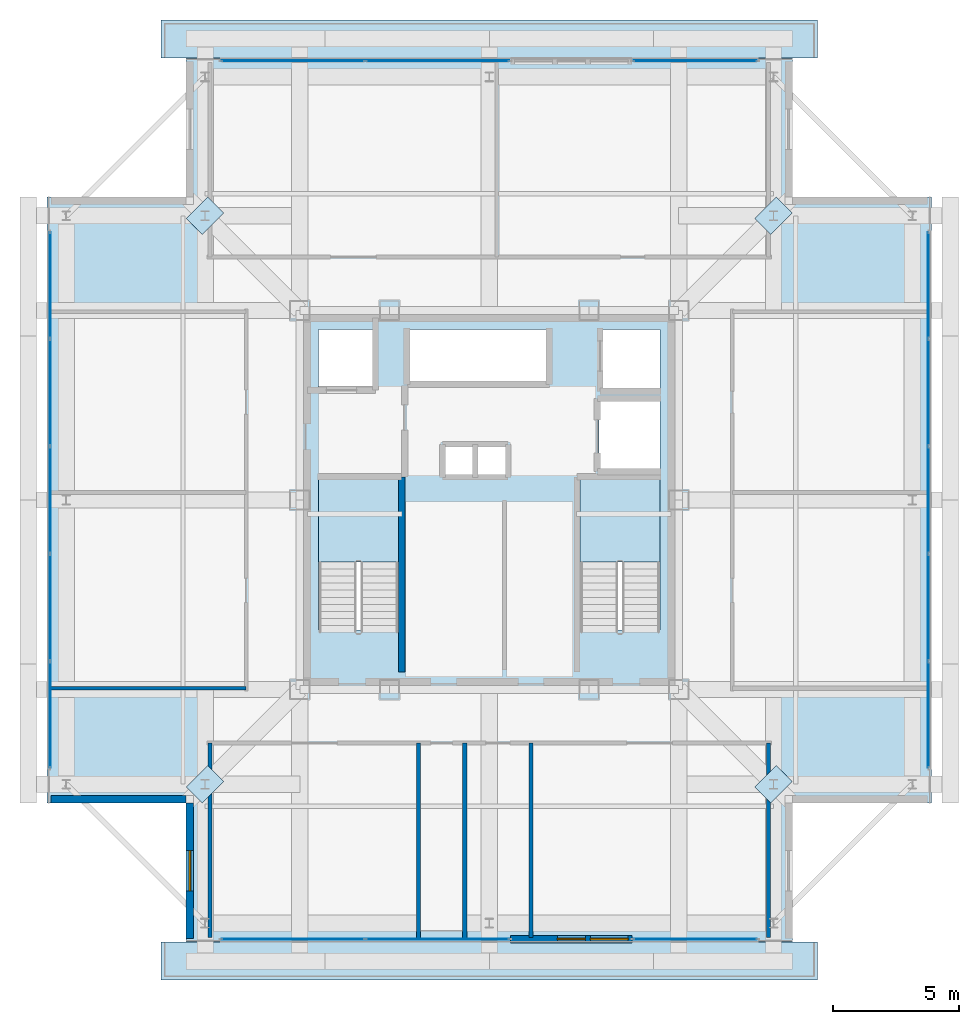
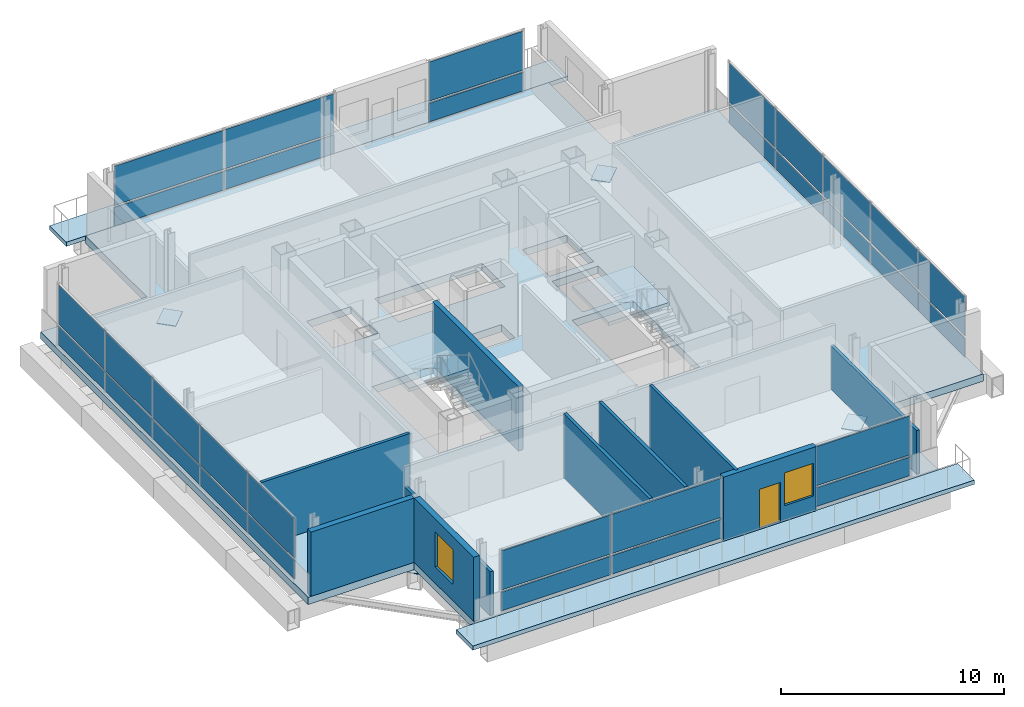
# One storey, part 8 of 15: 36 plates, 10 walls, 5 slabs, 2 windows, 1 door, 3 openings, 8 elements without a shape of their own.
"""IFC4 building model written with IfcOpenShell, lengths in metres."""

from ifc_helpers import new_model, si_unit, direction, frame, frame_2d, origin, origin_2d, place, context, subcontext, project, spatial, polyline, rectangle, outline, extrude, material, layer, layer_set, type_object, element, fill, aggregate, save


model = new_model("IFC4")

# Units and contexts
model_context = context("Model", 3, precision=1e-05, world=origin(), true_north=direction((0.0, 1.0)))
body_context = subcontext(model_context, "Body", "Model", "MODEL_VIEW")
ifc_project = project(units=[si_unit("LENGTHUNIT", "METRE"), si_unit("AREAUNIT", "SQUARE_METRE"), si_unit("VOLUMEUNIT", "CUBIC_METRE"), si_unit("PLANEANGLEUNIT", "RADIAN"), si_unit("MASSUNIT", "GRAM", prefix="KILO")], contexts=[model_context])

# Site, building, storey
site_placement = place(None, origin())
site = spatial("IfcSite", under=ifc_project, at=site_placement, CompositionType="ELEMENT")
building_placement = place(site_placement, origin())
building = spatial("IfcBuilding", under=site, at=building_placement, Name="Trevonay Congress Spire", CompositionType="ELEMENT")
storey_placement = place(building_placement, frame((0.0, 0.0, 300.800048828125)))
storey = spatial("IfcBuildingStorey", under=building, at=storey_placement, Name="L79", CompositionType="ELEMENT", Elevation=300.800048828125)

# Curtain wall, plates
ifc_material_1 = material(Name="Pale Anodised Aluminium EN AW-6063-T6", Category="aluminium")
ifc_layer_1 = layer(ifc_material_1, 0.159912109375, Name="Pale Anodised Aluminium EN AW-6063-T6")
ifc_layer_set_1 = layer_set([ifc_layer_1], Name="Pale Anodised Aluminium EN AW-6063-T6")
curtain_wall_type = type_object("IfcCurtainWallType", Name="CW-SYS06-CROWN-PALE-METAL", PredefinedType="NOTDEFINED", material=ifc_layer_set_1)
curtain_wall_1_placement = place(storey_placement, origin())
curtain_wall_1 = element("IfcCurtainWall", 1, at=curtain_wall_1_placement, inside=storey, type_object=curtain_wall_type, Name="L79 SA unitised curtain wall", PredefinedType="NOTDEFINED")
ifc_material_2 = material(Name="Insulated Low-E Vision Glass IGU", Category="glass")
ifc_layer_2 = layer(ifc_material_2, 0.035888671875, Name="Insulated Low-E Vision Glass IGU")
ifc_layer_set_2 = layer_set([ifc_layer_2], Name="Insulated Low-E Vision Glass IGU")
plate_type_1 = type_object("IfcPlateType", Name="CW-PANEL-IGU36-SILVER", PredefinedType="CURTAIN_PANEL", material=ifc_layer_set_2)
plate_1_placement = place(storey_placement, frame((-7.760009765625, -17.3798828125, 0.1201171875), z_axis=(0.0, 0.0, 1.0), x_axis=(1.0, 0.0, 0.0)))
plate_1 = element("IfcPlate", 2, at=plate_1_placement, type_object=plate_type_1, Name="CW06 panel 1.1", PredefinedType="CURTAIN_PANEL", context=body_context, shape_type="SweptSolid", body=[
    extrude(rectangle(XDim=5.659912109375, YDim=0.035888671875, at=origin_2d()), origin(), (0.0, 0.0, 1.0), 1.016845703125),
])
plate_2_placement = place(storey_placement, frame((-7.760009765625, -17.3798828125, 1.2568359375), z_axis=(0.0, 0.0, 1.0), x_axis=(1.0, 0.0, 0.0)))
plate_2 = element("IfcPlate", 3, at=plate_2_placement, type_object=plate_type_1, Name="CW06 panel 1.2", PredefinedType="CURTAIN_PANEL", context=body_context, shape_type="SweptSolid", body=[
    extrude(rectangle(XDim=5.659912109375, YDim=0.035888671875, at=origin_2d()), origin(), (0.0, 0.0, 1.0), 2.143310546875),
])
plate_3_placement = place(storey_placement, frame((-2.0400390625, -17.3798828125, 0.1201171875), z_axis=(0.0, 0.0, 1.0), x_axis=(1.0, 0.0, 0.0)))
plate_3 = element("IfcPlate", 4, at=plate_3_placement, type_object=plate_type_1, Name="CW06 panel 2.1", PredefinedType="CURTAIN_PANEL", context=body_context, shape_type="SweptSolid", body=[
    extrude(rectangle(XDim=5.659912109375, YDim=0.035888671875, at=origin_2d()), origin(), (0.0, 0.0, 1.0), 1.016845703125),
])
plate_4_placement = place(storey_placement, frame((-2.0400390625, -17.3798828125, 1.2568359375), z_axis=(0.0, 0.0, 1.0), x_axis=(1.0, 0.0, 0.0)))
plate_4 = element("IfcPlate", 5, at=plate_4_placement, type_object=plate_type_1, Name="CW06 panel 2.2", PredefinedType="CURTAIN_PANEL", context=body_context, shape_type="SweptSolid", body=[
    extrude(rectangle(XDim=5.659912109375, YDim=0.035888671875, at=origin_2d()), origin(), (0.0, 0.0, 1.0), 2.143310546875),
])
aggregate(curtain_wall_1, [plate_1, plate_2, plate_3, plate_4])

curtain_wall_2_placement = place(storey_placement, origin())
curtain_wall_2 = element("IfcCurtainWall", 6, at=curtain_wall_2_placement, inside=storey, type_object=curtain_wall_type, Name="L79 SB unitised curtain wall", PredefinedType="NOTDEFINED")
plate_5_placement = place(storey_placement, frame((8.14990234375, -17.3798828125, 0.1201171875), z_axis=(0.0, 0.0, 1.0), x_axis=(1.0, 0.0, 0.0)))
plate_5 = element("IfcPlate", 7, at=plate_5_placement, type_object=plate_type_1, Name="CW06 panel 1.1", PredefinedType="CURTAIN_PANEL", context=body_context, shape_type="SweptSolid", body=[
    extrude(rectangle(XDim=4.8798828125, YDim=0.035888671875, at=origin_2d()), origin(), (0.0, 0.0, 1.0), 1.016845703125),
])
plate_6_placement = place(storey_placement, frame((8.14990234375, -17.3798828125, 1.2568359375), z_axis=(0.0, 0.0, 1.0), x_axis=(1.0, 0.0, 0.0)))
plate_6 = element("IfcPlate", 8, at=plate_6_placement, type_object=plate_type_1, Name="CW06 panel 1.2", PredefinedType="CURTAIN_PANEL", context=body_context, shape_type="SweptSolid", body=[
    extrude(rectangle(XDim=4.8798828125, YDim=0.035888671875, at=origin_2d()), origin(), (0.0, 0.0, 1.0), 2.143310546875),
])
aggregate(curtain_wall_2, [plate_5, plate_6])

curtain_wall_3_placement = place(storey_placement, origin())
curtain_wall_3 = element("IfcCurtainWall", 9, at=curtain_wall_3_placement, inside=storey, type_object=curtain_wall_type, Name="L79 NA unitised curtain wall", PredefinedType="NOTDEFINED")
plate_7_placement = place(storey_placement, frame((-7.760009765625, 17.3798828125, 0.1201171875), z_axis=(0.0, 0.0, 1.0), x_axis=(1.0, 0.0, 0.0)))
plate_7 = element("IfcPlate", 10, at=plate_7_placement, type_object=plate_type_1, Name="CW06 panel 1.1", PredefinedType="CURTAIN_PANEL", context=body_context, shape_type="SweptSolid", body=[
    extrude(rectangle(XDim=5.659912109375, YDim=0.035888671875, at=origin_2d()), origin(), (0.0, 0.0, 1.0), 1.016845703125),
])
plate_8_placement = place(storey_placement, frame((-7.760009765625, 17.3798828125, 1.2568359375), z_axis=(0.0, 0.0, 1.0), x_axis=(1.0, 0.0, 0.0)))
plate_8 = element("IfcPlate", 11, at=plate_8_placement, type_object=plate_type_1, Name="CW06 panel 1.2", PredefinedType="CURTAIN_PANEL", context=body_context, shape_type="SweptSolid", body=[
    extrude(rectangle(XDim=5.659912109375, YDim=0.035888671875, at=origin_2d()), origin(), (0.0, 0.0, 1.0), 2.143310546875),
])
plate_9_placement = place(storey_placement, frame((-2.0400390625, 17.3798828125, 0.1201171875), z_axis=(0.0, 0.0, 1.0), x_axis=(1.0, 0.0, 0.0)))
plate_9 = element("IfcPlate", 12, at=plate_9_placement, type_object=plate_type_1, Name="CW06 panel 2.1", PredefinedType="CURTAIN_PANEL", context=body_context, shape_type="SweptSolid", body=[
    extrude(rectangle(XDim=5.659912109375, YDim=0.035888671875, at=origin_2d()), origin(), (0.0, 0.0, 1.0), 1.016845703125),
])
plate_10_placement = place(storey_placement, frame((-2.0400390625, 17.3798828125, 1.2568359375), z_axis=(0.0, 0.0, 1.0), x_axis=(1.0, 0.0, 0.0)))
plate_10 = element("IfcPlate", 13, at=plate_10_placement, type_object=plate_type_1, Name="CW06 panel 2.2", PredefinedType="CURTAIN_PANEL", context=body_context, shape_type="SweptSolid", body=[
    extrude(rectangle(XDim=5.659912109375, YDim=0.035888671875, at=origin_2d()), origin(), (0.0, 0.0, 1.0), 2.143310546875),
])
aggregate(curtain_wall_3, [plate_7, plate_8, plate_9, plate_10])

curtain_wall_4_placement = place(storey_placement, origin())
curtain_wall_4 = element("IfcCurtainWall", 14, at=curtain_wall_4_placement, inside=storey, type_object=curtain_wall_type, Name="L79 NB unitised curtain wall", PredefinedType="NOTDEFINED")
plate_11_placement = place(storey_placement, frame((8.14990234375, 17.3798828125, 0.1201171875), z_axis=(0.0, 0.0, 1.0), x_axis=(1.0, 0.0, 0.0)))
plate_11 = element("IfcPlate", 15, at=plate_11_placement, type_object=plate_type_1, Name="CW06 panel 1.1", PredefinedType="CURTAIN_PANEL", context=body_context, shape_type="SweptSolid", body=[
    extrude(rectangle(XDim=4.8798828125, YDim=0.035888671875, at=origin_2d()), origin(), (0.0, 0.0, 1.0), 1.016845703125),
])
plate_12_placement = place(storey_placement, frame((8.14990234375, 17.3798828125, 1.2568359375), z_axis=(0.0, 0.0, 1.0), x_axis=(1.0, 0.0, 0.0)))
plate_12 = element("IfcPlate", 16, at=plate_12_placement, type_object=plate_type_1, Name="CW06 panel 1.2", PredefinedType="CURTAIN_PANEL", context=body_context, shape_type="SweptSolid", body=[
    extrude(rectangle(XDim=4.8798828125, YDim=0.035888671875, at=origin_2d()), origin(), (0.0, 0.0, 1.0), 2.143310546875),
])
aggregate(curtain_wall_4, [plate_11, plate_12])

curtain_wall_5_placement = place(storey_placement, origin())
curtain_wall_5 = element("IfcCurtainWall", 17, at=curtain_wall_5_placement, inside=storey, type_object=curtain_wall_type, Name="L79 W unitised curtain wall", PredefinedType="NOTDEFINED")
plate_13_placement = place(storey_placement, frame((-17.3798828125, -8.5048828125, 0.1201171875), z_axis=(0.0, 0.0, 1.0), x_axis=(0.0, 1.0, 0.0)))
plate_13 = element("IfcPlate", 18, at=plate_13_placement, type_object=plate_type_1, Name="CW06 panel 1.1", PredefinedType="CURTAIN_PANEL", context=body_context, shape_type="SweptSolid", body=[
    extrude(rectangle(XDim=4.169921875, YDim=0.035888671875, at=origin_2d()), origin(), (0.0, 0.0, 1.0), 1.016845703125),
])
plate_14_placement = place(storey_placement, frame((-17.3798828125, -8.5048828125, 1.2568359375), z_axis=(0.0, 0.0, 1.0), x_axis=(0.0, 1.0, 0.0)))
plate_14 = element("IfcPlate", 19, at=plate_14_placement, type_object=plate_type_1, Name="CW06 panel 1.2", PredefinedType="CURTAIN_PANEL", context=body_context, shape_type="SweptSolid", body=[
    extrude(rectangle(XDim=4.169921875, YDim=0.035888671875, at=origin_2d()), origin(), (0.0, 0.0, 1.0), 2.143310546875),
])
plate_15_placement = place(storey_placement, frame((-17.3798828125, -4.260009765625, 0.1201171875), z_axis=(0.0, 0.0, 1.0), x_axis=(0.0, 1.0, 0.0)))
plate_15 = element("IfcPlate", 20, at=plate_15_placement, type_object=plate_type_1, Name="CW06 panel 2.1", PredefinedType="CURTAIN_PANEL", context=body_context, shape_type="SweptSolid", body=[
    extrude(rectangle(XDim=4.199951171875, YDim=0.035888671875, at=origin_2d()), origin(), (0.0, 0.0, 1.0), 1.016845703125),
])
plate_16_placement = place(storey_placement, frame((-17.3798828125, -4.260009765625, 1.2568359375), z_axis=(0.0, 0.0, 1.0), x_axis=(0.0, 1.0, 0.0)))
plate_16 = element("IfcPlate", 21, at=plate_16_placement, type_object=plate_type_1, Name="CW06 panel 2.2", PredefinedType="CURTAIN_PANEL", context=body_context, shape_type="SweptSolid", body=[
    extrude(rectangle(XDim=4.199951171875, YDim=0.035888671875, at=origin_2d()), origin(), (0.0, 0.0, 1.0), 2.143310546875),
])
plate_17_placement = place(storey_placement, frame((-17.3798828125, 0.0, 0.1201171875), z_axis=(0.0, 0.0, 1.0), x_axis=(0.0, 1.0, 0.0)))
plate_17 = element("IfcPlate", 22, at=plate_17_placement, type_object=plate_type_1, Name="CW06 panel 3.1", PredefinedType="CURTAIN_PANEL", context=body_context, shape_type="SweptSolid", body=[
    extrude(rectangle(XDim=4.199951171875, YDim=0.035888671875, at=origin_2d()), origin(), (0.0, 0.0, 1.0), 1.016845703125),
])
plate_18_placement = place(storey_placement, frame((-17.3798828125, 0.0, 1.2568359375), z_axis=(0.0, 0.0, 1.0), x_axis=(0.0, 1.0, 0.0)))
plate_18 = element("IfcPlate", 23, at=plate_18_placement, type_object=plate_type_1, Name="CW06 panel 3.2", PredefinedType="CURTAIN_PANEL", context=body_context, shape_type="SweptSolid", body=[
    extrude(rectangle(XDim=4.199951171875, YDim=0.035888671875, at=origin_2d()), origin(), (0.0, 0.0, 1.0), 2.143310546875),
])
plate_19_placement = place(storey_placement, frame((-17.3798828125, 4.260009765625, 0.1201171875), z_axis=(0.0, 0.0, 1.0), x_axis=(0.0, 1.0, 0.0)))
plate_19 = element("IfcPlate", 24, at=plate_19_placement, type_object=plate_type_1, Name="CW06 panel 4.1", PredefinedType="CURTAIN_PANEL", context=body_context, shape_type="SweptSolid", body=[
    extrude(rectangle(XDim=4.199951171875, YDim=0.035888671875, at=origin_2d()), origin(), (0.0, 0.0, 1.0), 1.016845703125),
])
plate_20_placement = place(storey_placement, frame((-17.3798828125, 4.260009765625, 1.2568359375), z_axis=(0.0, 0.0, 1.0), x_axis=(0.0, 1.0, 0.0)))
plate_20 = element("IfcPlate", 25, at=plate_20_placement, type_object=plate_type_1, Name="CW06 panel 4.2", PredefinedType="CURTAIN_PANEL", context=body_context, shape_type="SweptSolid", body=[
    extrude(rectangle(XDim=4.199951171875, YDim=0.035888671875, at=origin_2d()), origin(), (0.0, 0.0, 1.0), 2.143310546875),
])
plate_21_placement = place(storey_placement, frame((-17.3798828125, 8.5048828125, 0.1201171875), z_axis=(0.0, 0.0, 1.0), x_axis=(0.0, 1.0, 0.0)))
plate_21 = element("IfcPlate", 26, at=plate_21_placement, type_object=plate_type_1, Name="CW06 panel 5.1", PredefinedType="CURTAIN_PANEL", context=body_context, shape_type="SweptSolid", body=[
    extrude(rectangle(XDim=4.169921875, YDim=0.035888671875, at=origin_2d()), origin(), (0.0, 0.0, 1.0), 1.016845703125),
])
plate_22_placement = place(storey_placement, frame((-17.3798828125, 8.5048828125, 1.2568359375), z_axis=(0.0, 0.0, 1.0), x_axis=(0.0, 1.0, 0.0)))
plate_22 = element("IfcPlate", 27, at=plate_22_placement, type_object=plate_type_1, Name="CW06 panel 5.2", PredefinedType="CURTAIN_PANEL", context=body_context, shape_type="SweptSolid", body=[
    extrude(rectangle(XDim=4.169921875, YDim=0.035888671875, at=origin_2d()), origin(), (0.0, 0.0, 1.0), 2.143310546875),
])
aggregate(curtain_wall_5, [plate_13, plate_14, plate_15, plate_16, plate_17, plate_18, plate_19, plate_20, plate_21, plate_22])

curtain_wall_6_placement = place(storey_placement, origin())
curtain_wall_6 = element("IfcCurtainWall", 28, at=curtain_wall_6_placement, inside=storey, type_object=curtain_wall_type, Name="L79 E unitised curtain wall", PredefinedType="NOTDEFINED")
plate_23_placement = place(storey_placement, frame((17.3798828125, -8.5048828125, 0.1201171875), z_axis=(0.0, 0.0, 1.0), x_axis=(0.0, 1.0, 0.0)))
plate_23 = element("IfcPlate", 29, at=plate_23_placement, type_object=plate_type_1, Name="CW06 panel 1.1", PredefinedType="CURTAIN_PANEL", context=body_context, shape_type="SweptSolid", body=[
    extrude(rectangle(XDim=4.169921875, YDim=0.035888671875, at=origin_2d()), origin(), (0.0, 0.0, 1.0), 1.016845703125),
])
plate_24_placement = place(storey_placement, frame((17.3798828125, -8.5048828125, 1.2568359375), z_axis=(0.0, 0.0, 1.0), x_axis=(0.0, 1.0, 0.0)))
plate_24 = element("IfcPlate", 30, at=plate_24_placement, type_object=plate_type_1, Name="CW06 panel 1.2", PredefinedType="CURTAIN_PANEL", context=body_context, shape_type="SweptSolid", body=[
    extrude(rectangle(XDim=4.169921875, YDim=0.035888671875, at=origin_2d()), origin(), (0.0, 0.0, 1.0), 2.143310546875),
])
plate_25_placement = place(storey_placement, frame((17.3798828125, -4.260009765625, 0.1201171875), z_axis=(0.0, 0.0, 1.0), x_axis=(0.0, 1.0, 0.0)))
plate_25 = element("IfcPlate", 31, at=plate_25_placement, type_object=plate_type_1, Name="CW06 panel 2.1", PredefinedType="CURTAIN_PANEL", context=body_context, shape_type="SweptSolid", body=[
    extrude(rectangle(XDim=4.199951171875, YDim=0.035888671875, at=origin_2d()), origin(), (0.0, 0.0, 1.0), 1.016845703125),
])
plate_26_placement = place(storey_placement, frame((17.3798828125, -4.260009765625, 1.2568359375), z_axis=(0.0, 0.0, 1.0), x_axis=(0.0, 1.0, 0.0)))
plate_26 = element("IfcPlate", 32, at=plate_26_placement, type_object=plate_type_1, Name="CW06 panel 2.2", PredefinedType="CURTAIN_PANEL", context=body_context, shape_type="SweptSolid", body=[
    extrude(rectangle(XDim=4.199951171875, YDim=0.035888671875, at=origin_2d()), origin(), (0.0, 0.0, 1.0), 2.143310546875),
])
plate_27_placement = place(storey_placement, frame((17.3798828125, 0.0, 0.1201171875), z_axis=(0.0, 0.0, 1.0), x_axis=(0.0, 1.0, 0.0)))
plate_27 = element("IfcPlate", 33, at=plate_27_placement, type_object=plate_type_1, Name="CW06 panel 3.1", PredefinedType="CURTAIN_PANEL", context=body_context, shape_type="SweptSolid", body=[
    extrude(rectangle(XDim=4.199951171875, YDim=0.035888671875, at=origin_2d()), origin(), (0.0, 0.0, 1.0), 1.016845703125),
])
plate_28_placement = place(storey_placement, frame((17.3798828125, 0.0, 1.2568359375), z_axis=(0.0, 0.0, 1.0), x_axis=(0.0, 1.0, 0.0)))
plate_28 = element("IfcPlate", 34, at=plate_28_placement, type_object=plate_type_1, Name="CW06 panel 3.2", PredefinedType="CURTAIN_PANEL", context=body_context, shape_type="SweptSolid", body=[
    extrude(rectangle(XDim=4.199951171875, YDim=0.035888671875, at=origin_2d()), origin(), (0.0, 0.0, 1.0), 2.143310546875),
])
plate_29_placement = place(storey_placement, frame((17.3798828125, 4.260009765625, 0.1201171875), z_axis=(0.0, 0.0, 1.0), x_axis=(0.0, 1.0, 0.0)))
plate_29 = element("IfcPlate", 35, at=plate_29_placement, type_object=plate_type_1, Name="CW06 panel 4.1", PredefinedType="CURTAIN_PANEL", context=body_context, shape_type="SweptSolid", body=[
    extrude(rectangle(XDim=4.199951171875, YDim=0.035888671875, at=origin_2d()), origin(), (0.0, 0.0, 1.0), 1.016845703125),
])
plate_30_placement = place(storey_placement, frame((17.3798828125, 4.260009765625, 1.2568359375), z_axis=(0.0, 0.0, 1.0), x_axis=(0.0, 1.0, 0.0)))
plate_30 = element("IfcPlate", 36, at=plate_30_placement, type_object=plate_type_1, Name="CW06 panel 4.2", PredefinedType="CURTAIN_PANEL", context=body_context, shape_type="SweptSolid", body=[
    extrude(rectangle(XDim=4.199951171875, YDim=0.035888671875, at=origin_2d()), origin(), (0.0, 0.0, 1.0), 2.143310546875),
])
plate_31_placement = place(storey_placement, frame((17.3798828125, 8.5048828125, 0.1201171875), z_axis=(0.0, 0.0, 1.0), x_axis=(0.0, 1.0, 0.0)))
plate_31 = element("IfcPlate", 37, at=plate_31_placement, type_object=plate_type_1, Name="CW06 panel 5.1", PredefinedType="CURTAIN_PANEL", context=body_context, shape_type="SweptSolid", body=[
    extrude(rectangle(XDim=4.169921875, YDim=0.035888671875, at=origin_2d()), origin(), (0.0, 0.0, 1.0), 1.016845703125),
])
plate_32_placement = place(storey_placement, frame((17.3798828125, 8.5048828125, 1.2568359375), z_axis=(0.0, 0.0, 1.0), x_axis=(0.0, 1.0, 0.0)))
plate_32 = element("IfcPlate", 38, at=plate_32_placement, type_object=plate_type_1, Name="CW06 panel 5.2", PredefinedType="CURTAIN_PANEL", context=body_context, shape_type="SweptSolid", body=[
    extrude(rectangle(XDim=4.169921875, YDim=0.035888671875, at=origin_2d()), origin(), (0.0, 0.0, 1.0), 2.143310546875),
])
aggregate(curtain_wall_6, [plate_23, plate_24, plate_25, plate_26, plate_27, plate_28, plate_29, plate_30, plate_31, plate_32])

# Plates
ifc_material_3 = material(Name="Steel ASTM A572 Grade 50", Category="steel")
ifc_layer_3 = layer(ifc_material_3, 0.044921875, Name="Steel ASTM A572 Grade 50")
ifc_layer_set_3 = layer_set([ifc_layer_3], Name="Steel ASTM A572 Grade 50")
plate_type_2 = type_object("IfcPlateType", Name="PLT-GUSSET-INT-45", PredefinedType="USERDEFINED", material=ifc_layer_set_3)
for number, where, z_axis, x_axis, name in (
    (39, (-11.25, -11.25, -0.972412109375), (0.0, 0.0, 1.0), (0.707106781187, 0.707106781187, 0.0), "L79 setback column transfer gusset plate KN-01 (SW)"),
    (40, (11.25, -11.25, -0.972412109375), (0.0, 0.0, 1.0), (0.707106781187, 0.707106781187, 0.0), "L79 setback column transfer gusset plate KN-01 (SE)"),
    (41, (11.25, 11.25, -0.972412109375), (0.0, 0.0, 1.0), (0.707106781187, 0.707106781187, 0.0), "L79 setback column transfer gusset plate KN-01 (NE)"),
    (42, (-11.25, 11.25, -0.972412109375), (0.0, 0.0, 1.0), (0.707106781187, 0.707106781187, 0.0), "L79 setback column transfer gusset plate KN-01 (NW)"),
):
    element("IfcPlate", number, at=place(storey_placement, frame(where, z_axis=z_axis, x_axis=x_axis)), inside=storey, type_object=plate_type_2, Name=name, ObjectType="GUSSET_PLATE", PredefinedType="USERDEFINED", context=body_context, shape_type="SweptSolid", body=[
        extrude(rectangle(XDim=1.199951171875, YDim=0.89990234375, at=origin_2d()), origin(), (0.0, 0.0, 1.0), 0.044921875),
    ])

# Slabs
ifc_material_4 = material(Name="Concrete C40/50", Category="concrete")
ifc_layer_4 = layer(ifc_material_4, 0.22998046875, Name="Concrete C40/50")
ifc_layer_set_4 = layer_set([ifc_layer_4], Name="Concrete C40/50")
slab_type_1 = type_object("IfcSlabType", Name="SLB-SKYGARD-230", PredefinedType="FLOOR", material=ifc_layer_set_4)
slab_1_placement = place(storey_placement, frame((0.0, 0.0, -0.22998046875)))
element("IfcSlab", 43, at=slab_1_placement, inside=storey, type_object=slab_type_1, Name="L79 setback sky-garden terrace slab S", PredefinedType="FLOOR", context=body_context, shape_type="SweptSolid", body=[
    extrude(outline(polyline([(-13.0, -19.0), (13.0, -19.0), (13.0, -17.5), (-13.0, -17.5), (-13.0, -19.0)])), origin(), (0.0, 0.0, 1.0), 0.22998046875),
])
slab_2_placement = place(storey_placement, frame((0.0, 0.0, -0.22998046875)))
element("IfcSlab", 44, at=slab_2_placement, inside=storey, type_object=slab_type_1, Name="L79 setback sky-garden terrace slab N", PredefinedType="FLOOR", context=body_context, shape_type="SweptSolid", body=[
    extrude(outline(polyline([(-13.0, 17.5), (13.0, 17.5), (13.0, 19.0), (-13.0, 19.0), (-13.0, 17.5)])), origin(), (0.0, 0.0, 1.0), 0.22998046875),
])

# Stair, slab
stair_type_1 = type_object("IfcStairType", Name="STR-ST-1", PredefinedType="HALF_TURN_STAIR", material=ifc_material_4)
stair_1_placement = place(storey_placement, origin())
stair_1 = element("IfcStair", 45, at=stair_1_placement, inside=storey, type_object=stair_type_1, Name="L79 Protected Exit Stair ST-1", PredefinedType="HALF_TURN_STAIR")
ifc_layer_5 = layer(ifc_material_4, 0.199951171875, Name="Concrete C40/50")
ifc_layer_set_5 = layer_set([ifc_layer_5], Name="Concrete C40/50")
slab_type_2 = type_object("IfcSlabType", Name="SLB-STAIR-LAND-200", PredefinedType="LANDING", material=ifc_layer_set_5)
slab_3_placement = place(storey_placement, frame((0.0, 0.0, 1.699951171875)))
slab_3 = element("IfcSlab", 46, at=slab_3_placement, type_object=slab_type_2, Name="ST-1 landing 1", PredefinedType="LANDING", context=body_context, shape_type="SweptSolid", body=[
    extrude(outline(polyline([(-3.60009765625, -2.449951171875), (-3.60009765625, 0.85009765625), (-6.75, 0.85009765625), (-6.75, -2.449951171875), (-3.60009765625, -2.449951171875)])), origin(), (0.0, 0.0, 1.0), 0.199951171875),
])
aggregate(stair_1, [slab_3])

stair_type_2 = type_object("IfcStairType", Name="STR-ST-2", PredefinedType="HALF_TURN_STAIR", material=ifc_material_4)
stair_2_placement = place(storey_placement, origin())
stair_2 = element("IfcStair", 47, at=stair_2_placement, inside=storey, type_object=stair_type_2, Name="L79 Protected Exit Stair ST-2", PredefinedType="HALF_TURN_STAIR")
slab_4_placement = place(storey_placement, frame((0.0, 0.0, 1.699951171875)))
slab_4 = element("IfcSlab", 48, at=slab_4_placement, type_object=slab_type_2, Name="ST-2 landing 1", PredefinedType="LANDING", context=body_context, shape_type="SweptSolid", body=[
    extrude(outline(polyline([(6.75, -2.449951171875), (6.75, 0.85009765625), (3.60009765625, 0.85009765625), (3.60009765625, -2.449951171875), (6.75, -2.449951171875)])), origin(), (0.0, 0.0, 1.0), 0.199951171875),
])
aggregate(stair_2, [slab_4])

# Slab
ifc_layer_6 = layer(ifc_material_4, 0.39990234375, Name="Concrete C40/50")
ifc_layer_set_6 = layer_set([ifc_layer_6], Name="Concrete C40/50")
slab_type_3 = type_object("IfcSlabType", Name="SLB-XFER-400", PredefinedType="FLOOR", material=ifc_layer_set_6)
slab_5_placement = place(storey_placement, frame((0.0, 0.0, -0.400146484375)))
element("IfcSlab", 49, at=slab_5_placement, inside=storey, type_object=slab_type_3, Name="L79 structural floor slab", PredefinedType="FLOOR", context=body_context, shape_type="SweptSolid", body=[
    extrude(outline(polyline([(-12.0, -17.5), (12.0, -17.5), (12.0, -12.0), (17.5, -12.0), (17.5, 12.0), (12.0, 12.0), (12.0, 17.5), (-12.0, 17.5), (-12.0, 12.0), (-17.5, 12.0), (-17.5, -12.0), (-12.0, -12.0), (-12.0, -17.5)]), holes=[polyline([(-3.60009765625, -5.14990234375), (-3.60009765625, 0.85009765625), (-6.75, 0.85009765625), (-6.75, -5.14990234375), (-3.60009765625, -5.14990234375)]), polyline([(6.75, -5.14990234375), (6.75, 0.85009765625), (3.60009765625, 0.85009765625), (3.60009765625, -5.14990234375), (6.75, -5.14990234375)]), polyline([(-3.199951171875, 4.64990234375), (2.340087890625, 4.64990234375), (2.340087890625, 6.75), (-3.199951171875, 6.75), (-3.199951171875, 4.64990234375)]), polyline([(-6.75, 4.35009765625), (-4.449951171875, 4.35009765625), (-4.449951171875, 6.75), (-6.75, 6.75), (-6.75, 4.35009765625)]), polyline([(4.449951171875, 4.35009765625), (6.75, 4.35009765625), (6.75, 6.75), (4.449951171875, 6.75), (4.449951171875, 4.35009765625)]), polyline([(4.35009765625, 1.199951171875), (6.75, 1.199951171875), (6.75, 3.949951171875), (4.35009765625, 3.949951171875), (4.35009765625, 1.199951171875)]), polyline([(-1.800048828125, 0.949951171875), (0.699951171875, 0.949951171875), (0.699951171875, 2.14990234375), (-1.800048828125, 2.14990234375), (-1.800048828125, 0.949951171875)])]), origin(), (0.0, 0.0, 1.0), 0.400146484375),
])

# Wall, openings, door, window
ifc_material_5 = material(Name="Precast concrete C40/50", Category="concrete")
ifc_layer_7 = layer(ifc_material_5, 0.300048828125, Name="Precast concrete C40/50")
ifc_layer_set_7 = layer_set([ifc_layer_7], Name="Precast concrete C40/50")
wall_type_1 = type_object("IfcWallType", Name="WAL-EXT-PRECAST-300", PredefinedType="SOLIDWALL", material=ifc_layer_set_7)
wall_1_placement = place(storey_placement, frame((0.85009765625, -17.3798828125, 0.0), z_axis=(0.0, 0.0, 1.0), x_axis=(1.0, 0.0, 0.0)))
wall_1 = element("IfcWall", 50, at=wall_1_placement, inside=storey, type_object=wall_type_1, Name="L79 S glazed balcony portal exterior wall", PredefinedType="SOLIDWALL", context=body_context, shape_type="SweptSolid", body=[
    extrude(rectangle(XDim=4.7998046875, YDim=0.300048828125, at=frame_2d((2.39990234375, 0.0))), origin(), (0.0, 0.0, 1.0), 3.52001953125),
])
opening_1_placement = place(wall_1_placement, frame((1.85009765625, 0.0, 0.0)))
opening_1 = element("IfcOpeningElement", 51, at=opening_1_placement, cuts=wall_1, Name="Opening D03", PredefinedType="OPENING", context=body_context, shape_type="SweptSolid", body=[
    extrude(rectangle(XDim=1.10009765625, YDim=2.199951171875, at=frame_2d((0.550048828125, 1.10009765625))), frame((0.0, 0.16015625, 0.0), z_axis=(0.0, -1.0, 0.0), x_axis=(1.0, 0.0, 0.0)), (0.0, 0.0, 1.0), 0.320068359375),
])
opening_2_placement = place(wall_1_placement, frame((3.14990234375, 0.0, 0.85009765625)))
opening_2 = element("IfcOpeningElement", 52, at=opening_2_placement, cuts=wall_1, Name="Opening WN03", PredefinedType="OPENING", context=body_context, shape_type="SweptSolid", body=[
    extrude(rectangle(XDim=1.5, YDim=1.800048828125, at=frame_2d((0.75, 0.89990234375))), frame((0.0, 0.16015625, 0.0), z_axis=(0.0, -1.0, 0.0), x_axis=(1.0, 0.0, 0.0)), (0.0, 0.0, 1.0), 0.320068359375),
])
door_type = type_object("IfcDoorType", Name="DOR-EXT-BAL-110", OperationType="NOTDEFINED", PredefinedType="DOOR", material=ifc_material_1)
door_placement = place(opening_1_placement, origin())
door = element("IfcDoor", 53, at=door_placement, inside=storey, type_object=door_type, Name="L79 S glazed outdoor terrace and balcony door", OperationType="SINGLE_SWING_LEFT", OverallHeight=2.199951171875, OverallWidth=1.10009765625, PredefinedType="DOOR", context=body_context, shape_type="SweptSolid", body=[
    extrude(rectangle(XDim=1.10009765625, YDim=2.199951171875, at=frame_2d((0.550048828125, 1.10009765625))), frame((0.0, 0.02490234375, 0.0), z_axis=(0.0, -1.0, 0.0), x_axis=(1.0, 0.0, 0.0)), (0.0, 0.0, 1.0), 0.050048828125),
])
fill(opening_1, door)
window_type_1 = type_object("IfcWindowType", Name="WIN-NOTCH-150X180", PartitioningType="SINGLE_PANEL", PredefinedType="WINDOW", material=ifc_material_2)
window_1_placement = place(opening_2_placement, origin())
window_1 = element("IfcWindow", 54, at=window_1_placement, inside=storey, type_object=window_type_1, Name="L79 S balcony sidelight window R", OverallHeight=1.800048828125, OverallWidth=1.5, PartitioningType="SINGLE_PANEL", PredefinedType="WINDOW", context=body_context, shape_type="SweptSolid", body=[
    extrude(rectangle(XDim=1.5, YDim=1.800048828125, at=frame_2d((0.75, 0.89990234375))), frame((0.0, 0.030029296875, 0.0), z_axis=(0.0, -1.0, 0.0), x_axis=(1.0, 0.0, 0.0)), (0.0, 0.0, 1.0), 0.06005859375),
])
fill(opening_2, window_1)

# Wall, opening, window
wall_2_placement = place(storey_placement, frame((-11.85009765625, -17.35009765625, 0.0), z_axis=(0.0, 0.0, 1.0), x_axis=(0.0, 1.0, 0.0)))
wall_2 = element("IfcWall", 55, at=wall_2_placement, inside=storey, type_object=wall_type_1, Name="L79 SW re-entrant notch exterior wall 1", PredefinedType="SOLIDWALL", context=body_context, shape_type="SweptSolid", body=[
    extrude(rectangle(XDim=5.35009765625, YDim=0.300048828125, at=frame_2d((2.675048828125, 0.0))), origin(), (0.0, 0.0, 1.0), 3.52001953125),
])
opening_3_placement = place(wall_2_placement, frame((1.875, 0.0, 0.89990234375)))
opening_3 = element("IfcOpeningElement", 56, at=opening_3_placement, cuts=wall_2, Name="Opening WN04", PredefinedType="OPENING", context=body_context, shape_type="SweptSolid", body=[
    extrude(rectangle(XDim=1.60009765625, YDim=1.89990234375, at=frame_2d((0.800048828125, 0.949951171875))), frame((0.0, 0.16015625, 0.0), z_axis=(0.0, -1.0, 0.0), x_axis=(1.0, 0.0, 0.0)), (0.0, 0.0, 1.0), 0.320068359375),
])
window_type_2 = type_object("IfcWindowType", Name="WIN-CROWN-160X190", PartitioningType="SINGLE_PANEL", PredefinedType="WINDOW", material=ifc_material_2)
window_2_placement = place(opening_3_placement, origin())
window_2 = element("IfcWindow", 57, at=window_2_placement, inside=storey, type_object=window_type_2, Name="L79 SW corner notch window", OverallHeight=1.89990234375, OverallWidth=1.60009765625, PartitioningType="SINGLE_PANEL", PredefinedType="WINDOW", context=body_context, shape_type="SweptSolid", body=[
    extrude(rectangle(XDim=1.60009765625, YDim=1.89990234375, at=frame_2d((0.800048828125, 0.949951171875))), frame((0.0, 0.030029296875, 0.0), z_axis=(0.0, -1.0, 0.0), x_axis=(1.0, 0.0, 0.0)), (0.0, 0.0, 1.0), 0.06005859375),
])
fill(opening_3, window_2)

# Walls
wall_3_placement = place(storey_placement, frame((-17.35009765625, -11.85009765625, 0.0), z_axis=(0.0, 0.0, 1.0), x_axis=(1.0, 0.0, 0.0)))
element("IfcWall", 58, at=wall_3_placement, inside=storey, type_object=wall_type_1, Name="L79 SW re-entrant notch exterior wall 2", PredefinedType="SOLIDWALL", context=body_context, shape_type="SweptSolid", body=[
    extrude(rectangle(XDim=5.35009765625, YDim=0.300048828125, at=frame_2d((2.675048828125, 0.0))), origin(), (0.0, 0.0, 1.0), 3.52001953125),
])
ifc_layer_8 = layer(ifc_material_4, 0.14990234375, Name="Concrete C40/50")
ifc_layer_set_8 = layer_set([ifc_layer_8], Name="Concrete C40/50")
wall_type_2 = type_object("IfcWallType", Name="WAL-PART-150", PredefinedType="PARTITIONING", material=ifc_layer_set_8)
wall_4_placement = place(storey_placement, frame((1.64990234375, -17.320068359375, 0.0), z_axis=(0.0, 0.0, 1.0), x_axis=(0.0, 1.0, 0.0)))
element("IfcWall", 59, at=wall_4_placement, inside=storey, type_object=wall_type_2, Name="L79 interior wall WP-L79S-DIV3", PredefinedType="PARTITIONING", context=body_context, shape_type="SweptSolid", body=[
    extrude(rectangle(XDim=7.699951171875, YDim=0.14990234375, at=frame_2d((3.85009765625, 0.0))), origin(), (0.0, 0.0, 1.0), 3.52001953125),
])
wall_5_placement = place(storey_placement, frame((11.050048828125, -17.320068359375, 0.0), z_axis=(0.0, 0.0, 1.0), x_axis=(0.0, 1.0, 0.0)))
element("IfcWall", 60, at=wall_5_placement, inside=storey, type_object=wall_type_2, Name="L79 interior wall WP-L79S-DIV4", PredefinedType="PARTITIONING", context=body_context, shape_type="SweptSolid", body=[
    extrude(rectangle(XDim=7.699951171875, YDim=0.14990234375, at=frame_2d((3.85009765625, 0.0))), origin(), (0.0, 0.0, 1.0), 2.39501953125),
])
wall_6_placement = place(storey_placement, frame((-17.320068359375, -7.449951171875, 0.0), z_axis=(0.0, 0.0, 1.0), x_axis=(1.0, 0.0, 0.0)))
element("IfcWall", 61, at=wall_6_placement, inside=storey, type_object=wall_type_2, Name="L79 interior wall WP-L79W-DIV1", PredefinedType="PARTITIONING", context=body_context, shape_type="SweptSolid", body=[
    extrude(rectangle(XDim=7.699951171875, YDim=0.14990234375, at=frame_2d((3.85009765625, 0.0))), origin(), (0.0, 0.0, 1.0), 3.52001953125),
])
ifc_layer_9 = layer(ifc_material_4, 0.25, Name="Concrete C40/50")
ifc_layer_set_9 = layer_set([ifc_layer_9], Name="Concrete C40/50")
wall_type_3 = type_object("IfcWallType", Name="WAL-SHAFT-LB-250", PredefinedType="SHEAR", material=ifc_layer_set_9)
wall_7_placement = place(storey_placement, frame((-3.469970703125, -6.800048828125, 0.0), z_axis=(0.0, 0.0, 1.0), x_axis=(0.0, 1.0, 0.0)))
element("IfcWall", 62, at=wall_7_placement, inside=storey, type_object=wall_type_3, Name="L79 interior shaft wall WSH-L79-ST1-E", PredefinedType="SHEAR", context=body_context, shape_type="SweptSolid", body=[
    extrude(rectangle(XDim=7.719970703125, YDim=0.25, at=frame_2d((3.85986328125, 0.0))), origin(), (0.0, 0.0, 1.0), 3.52001953125),
])
ifc_layer_10 = layer(ifc_material_4, 0.1650390625, Name="Concrete C40/50")
ifc_layer_set_10 = layer_set([ifc_layer_10], Name="Concrete C40/50")
wall_type_4 = type_object("IfcWallType", Name="WAL-WET-165", PredefinedType="PLUMBINGWALL", material=ifc_layer_set_10)
wall_8_placement = place(storey_placement, frame((-0.969970703125, -17.320068359375, 0.0), z_axis=(0.0, 0.0, 1.0), x_axis=(0.0, 1.0, 0.0)))
element("IfcWall", 63, at=wall_8_placement, inside=storey, type_object=wall_type_4, Name="L79 interior wall WP-L79S-WCS2", PredefinedType="PLUMBINGWALL", context=body_context, shape_type="SweptSolid", body=[
    extrude(rectangle(XDim=7.699951171875, YDim=0.1650390625, at=frame_2d((3.85009765625, 0.0))), origin(), (0.0, 0.0, 1.0), 3.52001953125),
])
wall_9_placement = place(storey_placement, frame((-11.050048828125, -17.320068359375, 0.0), z_axis=(0.0, 0.0, 1.0), x_axis=(0.0, 1.0, 0.0)))
element("IfcWall", 64, at=wall_9_placement, inside=storey, type_object=wall_type_4, Name="L79 interior wall WP-L79S-DIV1", PredefinedType="PLUMBINGWALL", context=body_context, shape_type="SweptSolid", body=[
    extrude(rectangle(XDim=7.699951171875, YDim=0.1650390625, at=frame_2d((3.85009765625, 0.0))), origin(), (0.0, 0.0, 1.0), 2.39501953125),
])
wall_10_placement = place(storey_placement, frame((-2.800048828125, -17.320068359375, 0.0), z_axis=(0.0, 0.0, 1.0), x_axis=(0.0, 1.0, 0.0)))
element("IfcWall", 65, at=wall_10_placement, inside=storey, type_object=wall_type_4, Name="L79 interior wall WP-L79S-DIV2", PredefinedType="PLUMBINGWALL", context=body_context, shape_type="SweptSolid", body=[
    extrude(rectangle(XDim=7.699951171875, YDim=0.1650390625, at=frame_2d((3.85009765625, 0.0))), origin(), (0.0, 0.0, 1.0), 3.52001953125),
])

save(model, "model.ifc")
